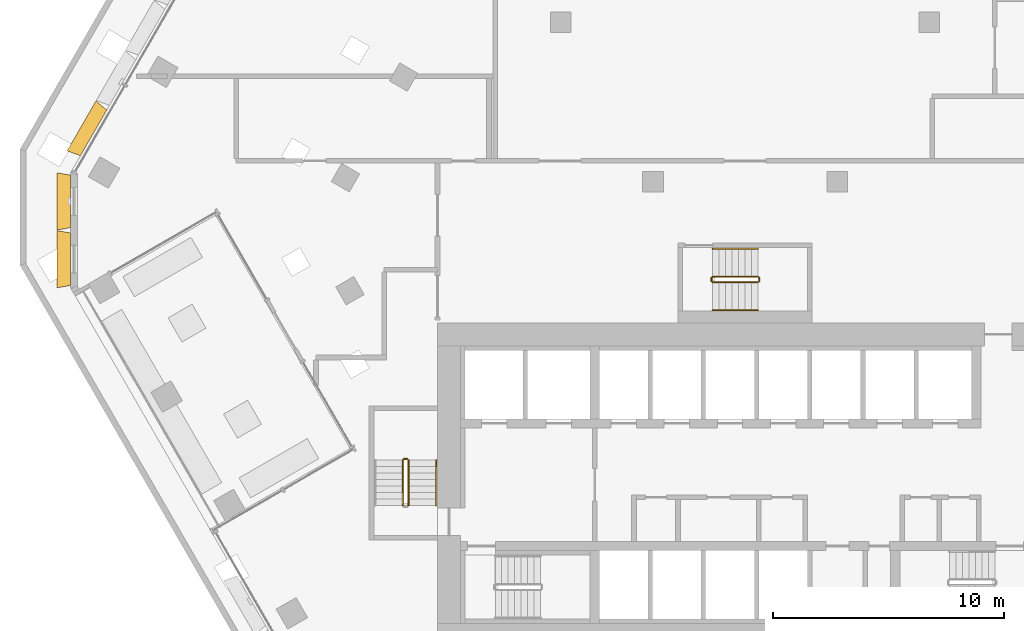
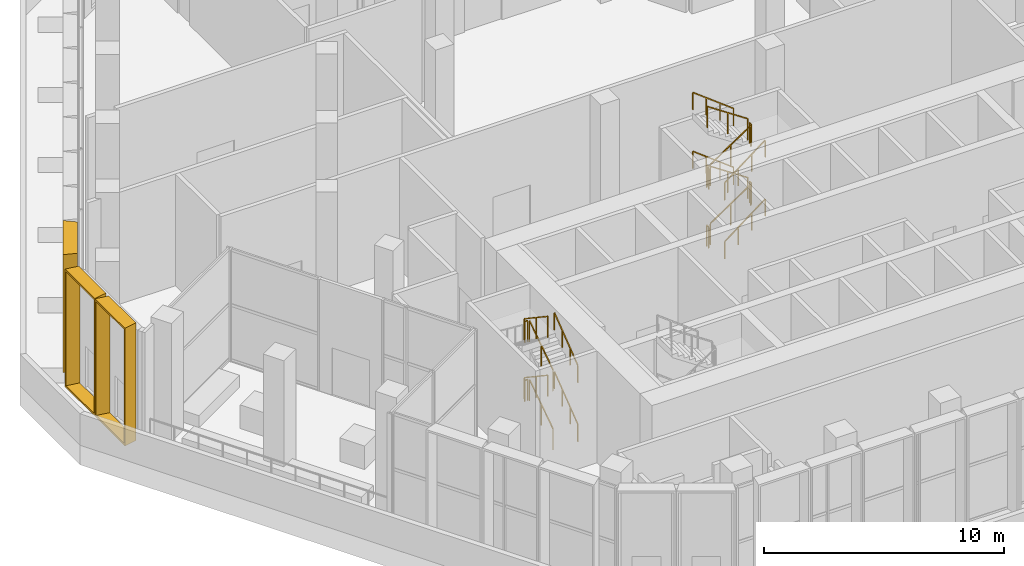
# One storey, part 20 of 23: 20 railings, 3 shading devices.
"""IFC4 building model written with IfcOpenShell, lengths in metres."""

from ifc_helpers import new_model, entity, si_unit, direction, frame, origin, origin_2d, place, context, subcontext, project, spatial, rectangle, extrude, source, transform, mapped, material, type_object, type_shapes, element, save


model = new_model("IFC4")

# Units and contexts
model_context = context("Model", 3, precision=1e-05, world=origin(), true_north=direction((0.0, 1.0)))
body_context = subcontext(model_context, "Body", "Model", "MODEL_VIEW")
ifc_project = project(units=[si_unit("LENGTHUNIT", "METRE"), si_unit("AREAUNIT", "SQUARE_METRE"), si_unit("VOLUMEUNIT", "CUBIC_METRE"), si_unit("PLANEANGLEUNIT", "RADIAN"), si_unit("MASSUNIT", "GRAM", prefix="KILO")], contexts=[model_context])

# Site, building, storey
site_placement = place(None, origin())
site = spatial("IfcSite", under=ifc_project, at=site_placement, CompositionType="ELEMENT")
building_placement = place(site_placement, origin())
building = spatial("IfcBuilding", under=site, at=building_placement, Name="Beryl Residences", CompositionType="ELEMENT")
storey_placement = place(building_placement, frame((0.0, 0.0, 66.0)))
storey = spatial("IfcBuildingStorey", under=building, at=storey_placement, Name="L20", CompositionType="ELEMENT", Elevation=66.0)

# Shading devices
ifc_material_1 = material(Name="Aluminium pale anodised", Category="aluminium")
shading_device_type_1 = type_object("IfcShadingDeviceType", Name="FR250-60A-H60 OUTER SKIN frame 600 mm deep, splay 10/10 deg, 2500 x 6000 mm cell", PredefinedType="USERDEFINED", material=ifc_material_1)
cartesian_point_1 = entity("IfcCartesianPoint", [-1.134033203125, 0.0])
cartesian_point_2 = entity("IfcCartesianPoint", [-1.052734375, 0.10009765625])
cartesian_point_3 = entity("IfcCartesianPoint", [-1.23974609375, 0.0])
cartesian_point_4 = entity("IfcCartesianPoint", [-1.158447265625, 0.10009765625])
shared_shape_1 = source(origin(), body_context, "Body", "SweptSolid", [
    entity("IfcExtrudedAreaSolidTapered", entity("IfcArbitraryProfileDefWithVoids", "AREA", None, entity("IfcPolyline", [cartesian_point_1, entity("IfcCartesianPoint", [1.134033203125, 0.0]), entity("IfcCartesianPoint", [1.134033203125, 6.0]), entity("IfcCartesianPoint", [-1.134033203125, 6.0]), cartesian_point_1]), [entity("IfcPolyline", [cartesian_point_2, entity("IfcCartesianPoint", [1.052734375, 0.10009765625]), entity("IfcCartesianPoint", [1.052734375, 5.89990234375]), entity("IfcCartesianPoint", [-1.052734375, 5.89990234375]), cartesian_point_2])]), entity("IfcAxis2Placement3D", entity("IfcCartesianPoint", [0.0, 0.0, 0.0]), entity("IfcDirection", [0.0, 1.0, 0.0]), entity("IfcDirection", [-1.0, 0.0, 0.0])), entity("IfcDirection", [0.0, 0.0, 1.0]), 0.60009765625, entity("IfcArbitraryProfileDefWithVoids", "AREA", None, entity("IfcPolyline", [cartesian_point_3, entity("IfcCartesianPoint", [1.23974609375, 0.0]), entity("IfcCartesianPoint", [1.23974609375, 6.0]), entity("IfcCartesianPoint", [-1.23974609375, 6.0]), cartesian_point_3]), [entity("IfcPolyline", [cartesian_point_4, entity("IfcCartesianPoint", [1.158447265625, 0.10009765625]), entity("IfcCartesianPoint", [1.158447265625, 5.89990234375]), entity("IfcCartesianPoint", [-1.158447265625, 5.89990234375]), cartesian_point_4])])),
])
type_shapes(shading_device_type_1, [shared_shape_1])
for number, where, z_axis, x_axis, name in (
    (1, (-29.156982421875, 0.25, 0.0), (0.0, 0.0, 1.0), (0.0, 1.0, 0.0), "FR250-60A-H60 frame L20 NW-SW 1"),
    (2, (-29.156982421875, -2.25, 0.0), (0.0, 0.0, 1.0), (0.0, 1.0, 0.0), "FR250-60A-H60 frame L20 NW-SW 2"),
):
    element("IfcShadingDevice", number, at=place(storey_placement, frame(where, z_axis=z_axis, x_axis=x_axis)), inside=storey, type_object=shading_device_type_1, Name=name, ObjectType="OUTER SKIN", PredefinedType="USERDEFINED", context=body_context, shape_type="MappedRepresentation", body=[
        mapped(shared_shape_1, transform((0.0, 0.0, 0.0))),
    ])
ifc_material_2 = material(Name="Aluminium pale anodised", Category="aluminium")
shading_device_type_2 = type_object("IfcShadingDeviceType", Name="FR251-60A-H60 OUTER SKIN frame 600 mm deep, splay 10/10 deg, 2510 x 6000 mm cell", PredefinedType="USERDEFINED", material=ifc_material_2)
cartesian_point_5 = entity("IfcCartesianPoint", [-1.138916015625, 0.0])
cartesian_point_6 = entity("IfcCartesianPoint", [-1.057861328125, 0.10009765625])
cartesian_point_7 = entity("IfcCartesianPoint", [-1.244873046875, 0.0])
cartesian_point_8 = entity("IfcCartesianPoint", [-1.16357421875, 0.10009765625])
shared_shape_2 = source(origin(), body_context, "Body", "SweptSolid", [
    entity("IfcExtrudedAreaSolidTapered", entity("IfcArbitraryProfileDefWithVoids", "AREA", None, entity("IfcPolyline", [cartesian_point_5, entity("IfcCartesianPoint", [1.138916015625, 0.0]), entity("IfcCartesianPoint", [1.138916015625, 6.0]), entity("IfcCartesianPoint", [-1.138916015625, 6.0]), cartesian_point_5]), [entity("IfcPolyline", [cartesian_point_6, entity("IfcCartesianPoint", [1.057861328125, 0.10009765625]), entity("IfcCartesianPoint", [1.057861328125, 5.89990234375]), entity("IfcCartesianPoint", [-1.057861328125, 5.89990234375]), cartesian_point_6])]), entity("IfcAxis2Placement3D", entity("IfcCartesianPoint", [0.0, 0.0, 0.0]), entity("IfcDirection", [0.0, 1.0, 0.0]), entity("IfcDirection", [-1.0, 0.0, 0.0])), entity("IfcDirection", [0.0, 0.0, 1.0]), 0.60009765625, entity("IfcArbitraryProfileDefWithVoids", "AREA", None, entity("IfcPolyline", [cartesian_point_7, entity("IfcCartesianPoint", [1.244873046875, 0.0]), entity("IfcCartesianPoint", [1.244873046875, 6.0]), entity("IfcCartesianPoint", [-1.244873046875, 6.0]), cartesian_point_7]), [entity("IfcPolyline", [cartesian_point_8, entity("IfcCartesianPoint", [1.16357421875, 0.10009765625]), entity("IfcCartesianPoint", [1.16357421875, 5.89990234375]), entity("IfcCartesianPoint", [-1.16357421875, 5.89990234375]), cartesian_point_8])])),
])
type_shapes(shading_device_type_2, [shared_shape_2])
shading_device_placement = place(storey_placement, frame((-28.16796875, 3.212890625, 0.0), z_axis=(0.0, 0.0, 1.0), x_axis=(0.5, 0.866025403784, 0.0)))
element("IfcShadingDevice", 3, at=shading_device_placement, inside=storey, type_object=shading_device_type_2, Name="FR251-60A-H60 frame L20 NW 10", ObjectType="OUTER SKIN", PredefinedType="USERDEFINED", context=body_context, shape_type="MappedRepresentation", body=[
    mapped(shared_shape_2, transform((0.0, 0.0, 0.0))),
])

# Railings
ifc_material_3 = material(Name="Stainless steel balustrade with glass infill", Category="steel")
railing_type_1 = type_object("IfcRailingType", Name="SG1 stair guard 1100 mm", PredefinedType="GUARDRAIL", material=ifc_material_3)
railing_1_placement = place(storey_placement, frame((-14.550048828125, -12.89990234375, 0.1875)))
element("IfcRailing", 4, at=railing_1_placement, inside=storey, type_object=railing_type_1, Name="L20 ST-2 stair guard 1", PredefinedType="GUARDRAIL", context=body_context, shape_type="SweptSolid", body=[
    extrude(rectangle(XDim=0.048095703125, YDim=0.048095703125, at=origin_2d()), frame((0.0, 0.0, 1.076171875), z_axis=(0.0, 0.830902050051, 0.556418712142), x_axis=(-1.0, 0.0, 0.0)), (0.0, 0.0, 1.0), 2.35888671875),
    extrude(rectangle(XDim=0.0419921875, YDim=0.0419921875, at=origin_2d()), origin(), (0.0, 0.0, 1.0), 1.052001953125),
    extrude(rectangle(XDim=0.0419921875, YDim=0.0419921875, at=origin_2d()), frame((0.0, 0.97998046875, 0.65625)), (0.0, 0.0, 1.0), 1.052001953125),
    extrude(rectangle(XDim=0.0419921875, YDim=0.0419921875, at=origin_2d()), frame((0.0, 1.9599609375, 1.3125)), (0.0, 0.0, 1.0), 1.052001953125),
])
railing_2_placement = place(storey_placement, frame((-14.60009765625, -10.889892578125, 1.5)))
element("IfcRailing", 5, at=railing_2_placement, inside=storey, type_object=railing_type_1, Name="L20 ST-2 stair guard 2", PredefinedType="GUARDRAIL", context=body_context, shape_type="SweptSolid", body=[
    extrude(rectangle(XDim=0.048095703125, YDim=0.048095703125, at=origin_2d()), frame((0.0, 0.0, 1.076171875), z_axis=(-1.0, 0.0, 0.0), x_axis=(0.0, -1.0, 0.0)), (0.0, 0.0, 1.0), 0.14990234375),
    extrude(rectangle(XDim=0.0419921875, YDim=0.0419921875, at=origin_2d()), origin(), (0.0, 0.0, 1.0), 1.052001953125),
    extrude(rectangle(XDim=0.0419921875, YDim=0.0419921875, at=origin_2d()), frame((-0.14990234375, 0.0, 0.0)), (0.0, 0.0, 1.0), 1.052001953125),
])
railing_3_placement = place(storey_placement, frame((-14.800048828125, -10.93994140625, 1.6875)))
element("IfcRailing", 6, at=railing_3_placement, inside=storey, type_object=railing_type_1, Name="L20 ST-2 stair guard 3", PredefinedType="GUARDRAIL", context=body_context, shape_type="SweptSolid", body=[
    extrude(rectangle(XDim=0.048095703125, YDim=0.048095703125, at=origin_2d()), frame((0.0, 0.0, 1.076171875), z_axis=(0.0, -0.830902050051, 0.556418712142), x_axis=(1.0, 0.0, 0.0)), (0.0, 0.0, 1.0), 2.35888671875),
    extrude(rectangle(XDim=0.0419921875, YDim=0.0419921875, at=origin_2d()), origin(), (0.0, 0.0, 1.0), 1.052001953125),
    extrude(rectangle(XDim=0.0419921875, YDim=0.0419921875, at=origin_2d()), frame((0.0, -0.97998046875, 0.65625)), (0.0, 0.0, 1.0), 1.052001953125),
    extrude(rectangle(XDim=0.0419921875, YDim=0.0419921875, at=origin_2d()), frame((0.0, -1.9599609375, 1.3125)), (0.0, 0.0, 1.0), 1.052001953125),
])
railing_4_placement = place(storey_placement, frame((-14.550048828125, -12.89990234375, 3.1875)))
element("IfcRailing", 7, at=railing_4_placement, inside=storey, type_object=railing_type_1, Name="L20 ST-2 stair guard 5", PredefinedType="GUARDRAIL", context=body_context, shape_type="SweptSolid", body=[
    extrude(rectangle(XDim=0.048095703125, YDim=0.048095703125, at=origin_2d()), frame((0.0, 0.0, 1.076171875), z_axis=(0.0, 0.830902050051, 0.556418712142), x_axis=(-1.0, 0.0, 0.0)), (0.0, 0.0, 1.0), 2.35888671875),
    extrude(rectangle(XDim=0.0419921875, YDim=0.0419921875, at=origin_2d()), origin(), (0.0, 0.0, 1.0), 1.052001953125),
    extrude(rectangle(XDim=0.0419921875, YDim=0.0419921875, at=origin_2d()), frame((0.0, 0.97998046875, 0.65625)), (0.0, 0.0, 1.0), 1.052001953125),
    extrude(rectangle(XDim=0.0419921875, YDim=0.0419921875, at=origin_2d()), frame((0.0, 1.9599609375, 1.3125)), (0.0, 0.0, 1.0), 1.052001953125),
])
railing_5_placement = place(storey_placement, frame((-14.60009765625, -10.889892578125, 4.5)))
element("IfcRailing", 8, at=railing_5_placement, inside=storey, type_object=railing_type_1, Name="L20 ST-2 stair guard 6", PredefinedType="GUARDRAIL", context=body_context, shape_type="SweptSolid", body=[
    extrude(rectangle(XDim=0.048095703125, YDim=0.048095703125, at=origin_2d()), frame((0.0, 0.0, 1.076171875), z_axis=(-1.0, 0.0, 0.0), x_axis=(0.0, -1.0, 0.0)), (0.0, 0.0, 1.0), 0.14990234375),
    extrude(rectangle(XDim=0.0419921875, YDim=0.0419921875, at=origin_2d()), origin(), (0.0, 0.0, 1.0), 1.052001953125),
    extrude(rectangle(XDim=0.0419921875, YDim=0.0419921875, at=origin_2d()), frame((-0.14990234375, 0.0, 0.0)), (0.0, 0.0, 1.0), 1.052001953125),
])
railing_6_placement = place(storey_placement, frame((-14.800048828125, -10.93994140625, 4.6875)))
element("IfcRailing", 9, at=railing_6_placement, inside=storey, type_object=railing_type_1, Name="L20 ST-2 stair guard 7", PredefinedType="GUARDRAIL", context=body_context, shape_type="SweptSolid", body=[
    extrude(rectangle(XDim=0.048095703125, YDim=0.048095703125, at=origin_2d()), frame((0.0, 0.0, 1.076171875), z_axis=(0.0, -0.830902050051, 0.556418712142), x_axis=(1.0, 0.0, 0.0)), (0.0, 0.0, 1.0), 2.35888671875),
    extrude(rectangle(XDim=0.0419921875, YDim=0.0419921875, at=origin_2d()), origin(), (0.0, 0.0, 1.0), 1.052001953125),
    extrude(rectangle(XDim=0.0419921875, YDim=0.0419921875, at=origin_2d()), frame((0.0, -0.97998046875, 0.65625)), (0.0, 0.0, 1.0), 1.052001953125),
    extrude(rectangle(XDim=0.0419921875, YDim=0.0419921875, at=origin_2d()), frame((0.0, -1.9599609375, 1.3125)), (0.0, 0.0, 1.0), 1.052001953125),
])
railing_7_placement = place(storey_placement, frame((-1.39990234375, -3.25, 0.1875)))
element("IfcRailing", 10, at=railing_7_placement, inside=storey, type_object=railing_type_1, Name="L20 ST-4 stair guard 1", PredefinedType="GUARDRAIL", context=body_context, shape_type="SweptSolid", body=[
    extrude(rectangle(XDim=0.048095703125, YDim=0.048095703125, at=origin_2d()), frame((0.0, 0.0, 1.076171875), z_axis=(0.830902050051, 0.0, 0.556418712142), x_axis=(0.0, 1.0, 0.0)), (0.0, 0.0, 1.0), 2.35888671875),
    extrude(rectangle(XDim=0.0419921875, YDim=0.0419921875, at=origin_2d()), origin(), (0.0, 0.0, 1.0), 1.052001953125),
    extrude(rectangle(XDim=0.0419921875, YDim=0.0419921875, at=origin_2d()), frame((0.97998046875, 0.0, 0.65625)), (0.0, 0.0, 1.0), 1.052001953125),
    extrude(rectangle(XDim=0.0419921875, YDim=0.0419921875, at=origin_2d()), frame((1.9599609375, 0.0, 1.3125)), (0.0, 0.0, 1.0), 1.052001953125),
])
railing_8_placement = place(storey_placement, frame((0.610107421875, -3.199951171875, 1.5)))
element("IfcRailing", 11, at=railing_8_placement, inside=storey, type_object=railing_type_1, Name="L20 ST-4 stair guard 2", PredefinedType="GUARDRAIL", context=body_context, shape_type="SweptSolid", body=[
    extrude(rectangle(XDim=0.048095703125, YDim=0.048095703125, at=origin_2d()), frame((0.0, 0.0, 1.076171875), z_axis=(0.0, 1.0, 0.0), x_axis=(-1.0, 0.0, 0.0)), (0.0, 0.0, 1.0), 0.14990234375),
    extrude(rectangle(XDim=0.0419921875, YDim=0.0419921875, at=origin_2d()), origin(), (0.0, 0.0, 1.0), 1.052001953125),
    extrude(rectangle(XDim=0.0419921875, YDim=0.0419921875, at=origin_2d()), frame((0.0, 0.14990234375, 0.0)), (0.0, 0.0, 1.0), 1.052001953125),
])
railing_9_placement = place(storey_placement, frame((0.56005859375, -3.0, 1.6875)))
element("IfcRailing", 12, at=railing_9_placement, inside=storey, type_object=railing_type_1, Name="L20 ST-4 stair guard 3", PredefinedType="GUARDRAIL", context=body_context, shape_type="SweptSolid", body=[
    extrude(rectangle(XDim=0.048095703125, YDim=0.048095703125, at=origin_2d()), frame((0.0, 0.0, 1.076171875), z_axis=(-0.830902050051, 0.0, 0.556418712142), x_axis=(0.0, -1.0, 0.0)), (0.0, 0.0, 1.0), 2.35888671875),
    extrude(rectangle(XDim=0.0419921875, YDim=0.0419921875, at=origin_2d()), origin(), (0.0, 0.0, 1.0), 1.052001953125),
    extrude(rectangle(XDim=0.0419921875, YDim=0.0419921875, at=origin_2d()), frame((-0.97998046875, 0.0, 0.65625)), (0.0, 0.0, 1.0), 1.052001953125),
    extrude(rectangle(XDim=0.0419921875, YDim=0.0419921875, at=origin_2d()), frame((-1.9599609375, 0.0, 1.3125)), (0.0, 0.0, 1.0), 1.052001953125),
])
railing_10_placement = place(storey_placement, frame((-1.449951171875, -3.199951171875, 3.0)))
element("IfcRailing", 13, at=railing_10_placement, inside=storey, type_object=railing_type_1, Name="L20 ST-4 stair guard 4", PredefinedType="GUARDRAIL", context=body_context, shape_type="SweptSolid", body=[
    extrude(rectangle(XDim=0.048095703125, YDim=0.048095703125, at=origin_2d()), frame((0.0, 0.0, 1.076171875), z_axis=(0.0, 1.0, 0.0), x_axis=(-1.0, 0.0, 0.0)), (0.0, 0.0, 1.0), 0.14990234375),
    extrude(rectangle(XDim=0.0419921875, YDim=0.0419921875, at=origin_2d()), origin(), (0.0, 0.0, 1.0), 1.052001953125),
    extrude(rectangle(XDim=0.0419921875, YDim=0.0419921875, at=origin_2d()), frame((0.0, 0.14990234375, 0.0)), (0.0, 0.0, 1.0), 1.052001953125),
])
railing_11_placement = place(storey_placement, frame((-1.39990234375, -3.25, 3.1875)))
element("IfcRailing", 14, at=railing_11_placement, inside=storey, type_object=railing_type_1, Name="L20 ST-4 stair guard 5", PredefinedType="GUARDRAIL", context=body_context, shape_type="SweptSolid", body=[
    extrude(rectangle(XDim=0.048095703125, YDim=0.048095703125, at=origin_2d()), frame((0.0, 0.0, 1.076171875), z_axis=(0.830902050051, 0.0, 0.556418712142), x_axis=(0.0, 1.0, 0.0)), (0.0, 0.0, 1.0), 2.35888671875),
    extrude(rectangle(XDim=0.0419921875, YDim=0.0419921875, at=origin_2d()), origin(), (0.0, 0.0, 1.0), 1.052001953125),
    extrude(rectangle(XDim=0.0419921875, YDim=0.0419921875, at=origin_2d()), frame((0.97998046875, 0.0, 0.65625)), (0.0, 0.0, 1.0), 1.052001953125),
    extrude(rectangle(XDim=0.0419921875, YDim=0.0419921875, at=origin_2d()), frame((1.9599609375, 0.0, 1.3125)), (0.0, 0.0, 1.0), 1.052001953125),
])
railing_12_placement = place(storey_placement, frame((0.610107421875, -3.199951171875, 4.5)))
element("IfcRailing", 15, at=railing_12_placement, inside=storey, type_object=railing_type_1, Name="L20 ST-4 stair guard 6", PredefinedType="GUARDRAIL", context=body_context, shape_type="SweptSolid", body=[
    extrude(rectangle(XDim=0.048095703125, YDim=0.048095703125, at=origin_2d()), frame((0.0, 0.0, 1.076171875), z_axis=(0.0, 1.0, 0.0), x_axis=(-1.0, 0.0, 0.0)), (0.0, 0.0, 1.0), 0.14990234375),
    extrude(rectangle(XDim=0.0419921875, YDim=0.0419921875, at=origin_2d()), origin(), (0.0, 0.0, 1.0), 1.052001953125),
    extrude(rectangle(XDim=0.0419921875, YDim=0.0419921875, at=origin_2d()), frame((0.0, 0.14990234375, 0.0)), (0.0, 0.0, 1.0), 1.052001953125),
])
railing_13_placement = place(storey_placement, frame((0.56005859375, -3.0, 4.6875)))
element("IfcRailing", 16, at=railing_13_placement, inside=storey, type_object=railing_type_1, Name="L20 ST-4 stair guard 7", PredefinedType="GUARDRAIL", context=body_context, shape_type="SweptSolid", body=[
    extrude(rectangle(XDim=0.048095703125, YDim=0.048095703125, at=origin_2d()), frame((0.0, 0.0, 1.076171875), z_axis=(-0.830902050051, 0.0, 0.556418712142), x_axis=(0.0, -1.0, 0.0)), (0.0, 0.0, 1.0), 2.35888671875),
    extrude(rectangle(XDim=0.0419921875, YDim=0.0419921875, at=origin_2d()), origin(), (0.0, 0.0, 1.0), 1.052001953125),
    extrude(rectangle(XDim=0.0419921875, YDim=0.0419921875, at=origin_2d()), frame((-0.97998046875, 0.0, 0.65625)), (0.0, 0.0, 1.0), 1.052001953125),
    extrude(rectangle(XDim=0.0419921875, YDim=0.0419921875, at=origin_2d()), frame((-1.9599609375, 0.0, 1.3125)), (0.0, 0.0, 1.0), 1.052001953125),
])
railing_14_placement = place(storey_placement, frame((-1.449951171875, -3.199951171875, 0.0)))
element("IfcRailing", 17, at=railing_14_placement, inside=storey, type_object=railing_type_1, Name="L20 ST-4 stair guard 8", PredefinedType="GUARDRAIL", context=body_context, shape_type="SweptSolid", body=[
    extrude(rectangle(XDim=0.048095703125, YDim=0.048095703125, at=origin_2d()), frame((0.0, 0.0, 1.076171875), z_axis=(0.0, 1.0, 0.0), x_axis=(-1.0, 0.0, 0.0)), (0.0, 0.0, 1.0), 0.14990234375),
    extrude(rectangle(XDim=0.0419921875, YDim=0.0419921875, at=origin_2d()), origin(), (0.0, 0.0, 1.0), 1.052001953125),
    extrude(rectangle(XDim=0.0419921875, YDim=0.0419921875, at=origin_2d()), frame((0.0, 0.14990234375, 0.0)), (0.0, 0.0, 1.0), 1.052001953125),
])
ifc_material_4 = material(Name="Stainless steel handrail", Category="steel")
railing_type_2 = type_object("IfcRailingType", Name="SRL1 stair handrail 900 mm", PredefinedType="HANDRAIL", material=ifc_material_4)
for number, where, name in (
    (18, (-13.35009765625, -12.89990234375, 0.1875), "L20 ST-2 stair handrail 1"),
    (19, (-13.35009765625, -12.89990234375, 3.1875), "L20 ST-2 stair handrail 3"),
):
    element("IfcRailing", number, at=place(storey_placement, frame(where)), inside=storey, type_object=railing_type_2, Name=name, PredefinedType="HANDRAIL", context=body_context, shape_type="SweptSolid", body=[
        extrude(rectangle(XDim=0.048095703125, YDim=0.048095703125, at=origin_2d()), frame((0.0, 0.0, 0.8759765625), z_axis=(0.0, 0.794121922505, 0.607758481798), x_axis=(-1.0, 0.0, 0.0)), (0.0, 0.0, 1.0), 2.468017578125),
        extrude(rectangle(XDim=0.0419921875, YDim=0.0419921875, at=origin_2d()), origin(), (0.0, 0.0, 1.0), 0.851806640625),
        extrude(rectangle(XDim=0.0419921875, YDim=0.0419921875, at=origin_2d()), frame((0.0, 0.6533203125, 0.5)), (0.0, 0.0, 1.0), 0.851806640625),
        extrude(rectangle(XDim=0.0419921875, YDim=0.0419921875, at=origin_2d()), frame((0.0, 1.306640625, 1.0)), (0.0, 0.0, 1.0), 0.851806640625),
        extrude(rectangle(XDim=0.0419921875, YDim=0.0419921875, at=origin_2d()), frame((0.0, 1.9599609375, 1.5)), (0.0, 0.0, 1.0), 0.851806640625),
    ])
railing_15_placement = place(storey_placement, frame((-1.39990234375, -4.449951171875, 0.1875)))
element("IfcRailing", 20, at=railing_15_placement, inside=storey, type_object=railing_type_2, Name="L20 ST-4 stair handrail 1", PredefinedType="HANDRAIL", context=body_context, shape_type="SweptSolid", body=[
    extrude(rectangle(XDim=0.048095703125, YDim=0.048095703125, at=origin_2d()), frame((0.0, 0.0, 0.8759765625), z_axis=(0.794121922505, 0.0, 0.607758481798), x_axis=(0.0, 1.0, 0.0)), (0.0, 0.0, 1.0), 2.468017578125),
    extrude(rectangle(XDim=0.0419921875, YDim=0.0419921875, at=origin_2d()), origin(), (0.0, 0.0, 1.0), 0.851806640625),
    extrude(rectangle(XDim=0.0419921875, YDim=0.0419921875, at=origin_2d()), frame((0.6533203125, 0.0, 0.5)), (0.0, 0.0, 1.0), 0.851806640625),
    extrude(rectangle(XDim=0.0419921875, YDim=0.0419921875, at=origin_2d()), frame((1.306640625, 0.0, 1.0)), (0.0, 0.0, 1.0), 0.851806640625),
    extrude(rectangle(XDim=0.0419921875, YDim=0.0419921875, at=origin_2d()), frame((1.9599609375, 0.0, 1.5)), (0.0, 0.0, 1.0), 0.851806640625),
])
railing_16_placement = place(storey_placement, frame((0.56005859375, -1.800048828125, 1.6875)))
element("IfcRailing", 21, at=railing_16_placement, inside=storey, type_object=railing_type_2, Name="L20 ST-4 stair handrail 2", PredefinedType="HANDRAIL", context=body_context, shape_type="SweptSolid", body=[
    extrude(rectangle(XDim=0.048095703125, YDim=0.048095703125, at=origin_2d()), frame((0.0, 0.0, 0.8759765625), z_axis=(-0.794121922505, 0.0, 0.607758481798), x_axis=(0.0, -1.0, 0.0)), (0.0, 0.0, 1.0), 2.468017578125),
    extrude(rectangle(XDim=0.0419921875, YDim=0.0419921875, at=origin_2d()), origin(), (0.0, 0.0, 1.0), 0.851806640625),
    extrude(rectangle(XDim=0.0419921875, YDim=0.0419921875, at=origin_2d()), frame((-0.6533203125, 0.0, 0.5)), (0.0, 0.0, 1.0), 0.851806640625),
    extrude(rectangle(XDim=0.0419921875, YDim=0.0419921875, at=origin_2d()), frame((-1.306640625, 0.0, 1.0)), (0.0, 0.0, 1.0), 0.851806640625),
    extrude(rectangle(XDim=0.0419921875, YDim=0.0419921875, at=origin_2d()), frame((-1.9599609375, 0.0, 1.5)), (0.0, 0.0, 1.0), 0.851806640625),
])
railing_17_placement = place(storey_placement, frame((-1.39990234375, -4.449951171875, 3.1875)))
element("IfcRailing", 22, at=railing_17_placement, inside=storey, type_object=railing_type_2, Name="L20 ST-4 stair handrail 3", PredefinedType="HANDRAIL", context=body_context, shape_type="SweptSolid", body=[
    extrude(rectangle(XDim=0.048095703125, YDim=0.048095703125, at=origin_2d()), frame((0.0, 0.0, 0.8759765625), z_axis=(0.794121922505, 0.0, 0.607758481798), x_axis=(0.0, 1.0, 0.0)), (0.0, 0.0, 1.0), 2.468017578125),
    extrude(rectangle(XDim=0.0419921875, YDim=0.0419921875, at=origin_2d()), origin(), (0.0, 0.0, 1.0), 0.851806640625),
    extrude(rectangle(XDim=0.0419921875, YDim=0.0419921875, at=origin_2d()), frame((0.6533203125, 0.0, 0.5)), (0.0, 0.0, 1.0), 0.851806640625),
    extrude(rectangle(XDim=0.0419921875, YDim=0.0419921875, at=origin_2d()), frame((1.306640625, 0.0, 1.0)), (0.0, 0.0, 1.0), 0.851806640625),
    extrude(rectangle(XDim=0.0419921875, YDim=0.0419921875, at=origin_2d()), frame((1.9599609375, 0.0, 1.5)), (0.0, 0.0, 1.0), 0.851806640625),
])
railing_18_placement = place(storey_placement, frame((0.56005859375, -1.800048828125, 4.6875)))
element("IfcRailing", 23, at=railing_18_placement, inside=storey, type_object=railing_type_2, Name="L20 ST-4 stair handrail 4", PredefinedType="HANDRAIL", context=body_context, shape_type="SweptSolid", body=[
    extrude(rectangle(XDim=0.048095703125, YDim=0.048095703125, at=origin_2d()), frame((0.0, 0.0, 0.8759765625), z_axis=(-0.794121922505, 0.0, 0.607758481798), x_axis=(0.0, -1.0, 0.0)), (0.0, 0.0, 1.0), 2.468017578125),
    extrude(rectangle(XDim=0.0419921875, YDim=0.0419921875, at=origin_2d()), origin(), (0.0, 0.0, 1.0), 0.851806640625),
    extrude(rectangle(XDim=0.0419921875, YDim=0.0419921875, at=origin_2d()), frame((-0.6533203125, 0.0, 0.5)), (0.0, 0.0, 1.0), 0.851806640625),
    extrude(rectangle(XDim=0.0419921875, YDim=0.0419921875, at=origin_2d()), frame((-1.306640625, 0.0, 1.0)), (0.0, 0.0, 1.0), 0.851806640625),
    extrude(rectangle(XDim=0.0419921875, YDim=0.0419921875, at=origin_2d()), frame((-1.9599609375, 0.0, 1.5)), (0.0, 0.0, 1.0), 0.851806640625),
])

save(model, "model.ifc")
